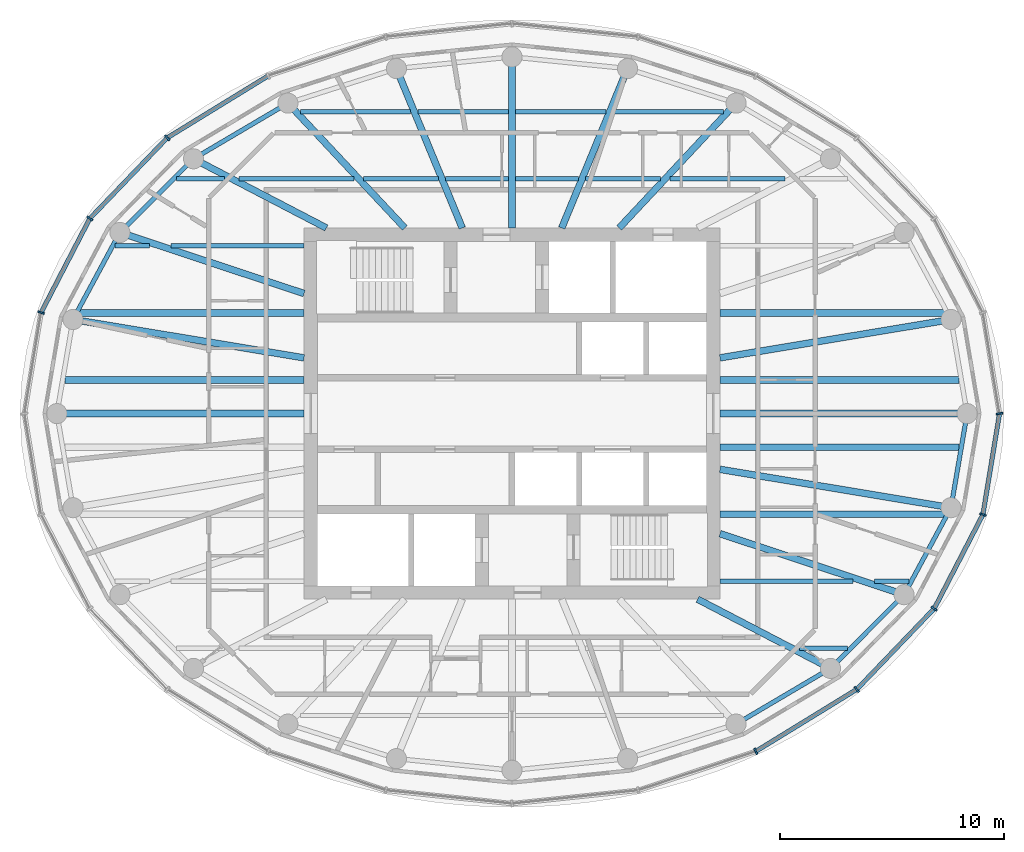
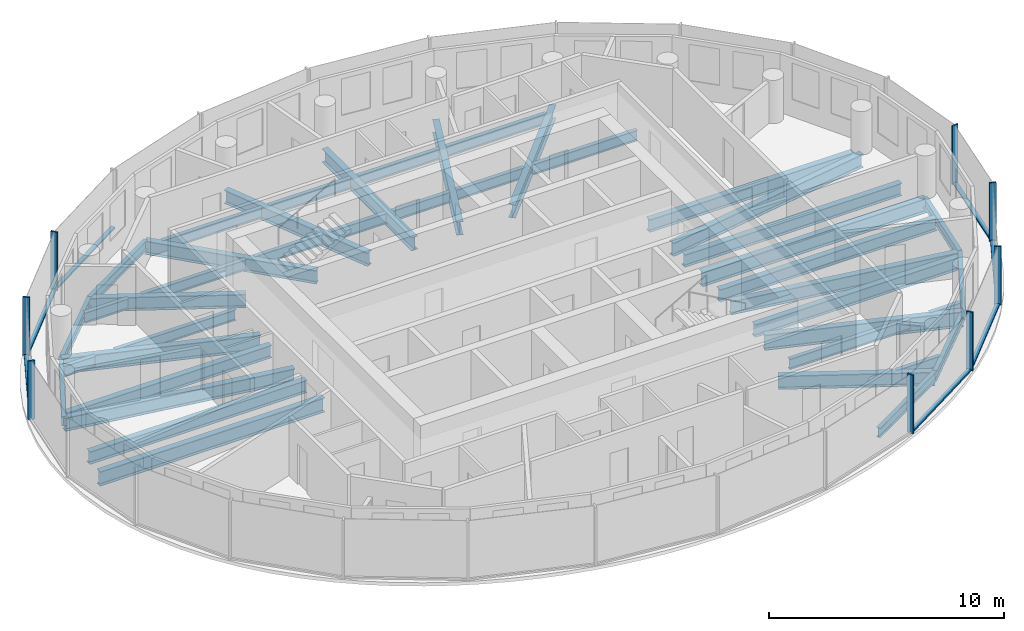
# One storey, part 2 of 11: 43 beams, 15 members, 3 elements without a shape of their own.
"""IFC4 building model written with IfcOpenShell, lengths in metres."""

from ifc_helpers import new_model, si_unit, direction, frame, origin, origin_2d, place, context, subcontext, project, spatial, rectangle, i_section, extrude, material, material_profile, profile_set, type_object, element, aggregate, save


model = new_model("IFC4")

# Units and contexts
model_context = context("Model", 3, precision=1e-05, world=origin(), true_north=direction((0.0, 1.0)))
body_context = subcontext(model_context, "Body", "Model", "MODEL_VIEW")
ifc_project = project(units=[si_unit("LENGTHUNIT", "METRE"), si_unit("AREAUNIT", "SQUARE_METRE"), si_unit("VOLUMEUNIT", "CUBIC_METRE"), si_unit("PLANEANGLEUNIT", "RADIAN"), si_unit("MASSUNIT", "GRAM", prefix="KILO")], contexts=[model_context])

# Site, building, storey
site_placement = place(None, origin())
site = spatial("IfcSite", under=ifc_project, at=site_placement, CompositionType="ELEMENT")
building_placement = place(site_placement, origin())
building = spatial("IfcBuilding", under=site, at=building_placement, Name="Hankou Lantern Tower", CompositionType="ELEMENT")
storey_placement = place(building_placement, frame((0.0, 0.0, 229.199951171875)))
storey = spatial("IfcBuildingStorey", under=building, at=storey_placement, Name="L62", CompositionType="ELEMENT", Elevation=229.199951171875)

# Beams
ifc_material_1 = material(Name="Steel Q355B", Category="steel")
ifc_material_profile_1 = material_profile(ifc_material_1, i_section(OverallWidth=0.199951171875, OverallDepth=0.5, WebThickness=0.010009765625, FlangeThickness=0.01611328125, FilletRadius=0.012939453125, at=origin_2d()), Name="HN500x200x10x16")
ifc_profile_set_1 = profile_set([ifc_material_profile_1], Name="Steel Q355B")
beam_type_1 = type_object("IfcBeamType", Name="EB5 RING BEAM HN500x200x10x16", PredefinedType="SPANDREL", material=ifc_profile_set_1)
beam_1_placement = place(storey_placement, frame((-10.01904296875, 13.8828125, -0.429931640625), z_axis=(-0.861422897323, -0.507888365655, 0.0), x_axis=(0.507888365655, -0.861422897323, 0.0)))
element("IfcBeam", 1, at=beam_1_placement, inside=storey, type_object=beam_type_1, Name="Ring beam R09-R10 L62", PredefinedType="SPANDREL", context=body_context, shape_type="SweptSolid", body=[
    extrude(i_section(OverallWidth=0.199951171875, OverallDepth=0.5, WebThickness=0.010009765625, FlangeThickness=0.01611328125, FilletRadius=0.012939453125, at=origin_2d()), origin(), (0.0, 0.0, 1.0), 4.901611328125),
])
beam_2_placement = place(storey_placement, frame((-14.241455078125, 11.393310546875, -0.429931640625), z_axis=(-0.706608588034, -0.707604623583, 0.0), x_axis=(0.707604623583, -0.706608588034, 0.0)))
element("IfcBeam", 2, at=beam_2_placement, inside=storey, type_object=beam_type_1, Name="Ring beam R10-R11 L62", PredefinedType="SPANDREL", context=body_context, shape_type="SweptSolid", body=[
    extrude(i_section(OverallWidth=0.199951171875, OverallDepth=0.5, WebThickness=0.010009765625, FlangeThickness=0.01611328125, FilletRadius=0.012939453125, at=origin_2d()), origin(), (0.0, 0.0, 1.0), 4.6572265625),
])
beam_3_placement = place(storey_placement, frame((-17.5322265625, 8.097900390625, -0.429931640625), z_axis=(-0.474491806611, -0.880259919262, 0.0), x_axis=(0.880259919262, -0.474491806611, 0.0)))
element("IfcBeam", 3, at=beam_3_placement, inside=storey, type_object=beam_type_1, Name="Ring beam R11-R12 L62", PredefinedType="SPANDREL", context=body_context, shape_type="SweptSolid", body=[
    extrude(i_section(OverallWidth=0.199951171875, OverallDepth=0.5, WebThickness=0.010009765625, FlangeThickness=0.01611328125, FilletRadius=0.012939453125, at=origin_2d()), origin(), (0.0, 0.0, 1.0), 4.419189453125),
])
beam_4_placement = place(storey_placement, frame((10.01904296875, -13.8828125, -0.429931640625), z_axis=(0.861422897323, 0.507888365655, 0.0), x_axis=(-0.507888365655, 0.861422897323, 0.0)))
element("IfcBeam", 4, at=beam_4_placement, inside=storey, type_object=beam_type_1, Name="Ring beam R21-R22 L62", PredefinedType="SPANDREL", context=body_context, shape_type="SweptSolid", body=[
    extrude(i_section(OverallWidth=0.199951171875, OverallDepth=0.5, WebThickness=0.010009765625, FlangeThickness=0.01611328125, FilletRadius=0.012939453125, at=origin_2d()), origin(), (0.0, 0.0, 1.0), 4.901611328125),
])
beam_5_placement = place(storey_placement, frame((14.241455078125, -11.393310546875, -0.429931640625), z_axis=(0.706608588034, 0.707604623583, 0.0), x_axis=(-0.707604623583, 0.706608588034, 0.0)))
element("IfcBeam", 5, at=beam_5_placement, inside=storey, type_object=beam_type_1, Name="Ring beam R22-R23 L62", PredefinedType="SPANDREL", context=body_context, shape_type="SweptSolid", body=[
    extrude(i_section(OverallWidth=0.199951171875, OverallDepth=0.5, WebThickness=0.010009765625, FlangeThickness=0.01611328125, FilletRadius=0.012939453125, at=origin_2d()), origin(), (0.0, 0.0, 1.0), 4.6572265625),
])
beam_6_placement = place(storey_placement, frame((17.5322265625, -8.097900390625, -0.429931640625), z_axis=(0.474491806611, 0.880259919262, 0.0), x_axis=(-0.880259919262, 0.474491806611, 0.0)))
element("IfcBeam", 6, at=beam_6_placement, inside=storey, type_object=beam_type_1, Name="Ring beam R23-R24 L62", PredefinedType="SPANDREL", context=body_context, shape_type="SweptSolid", body=[
    extrude(i_section(OverallWidth=0.199951171875, OverallDepth=0.5, WebThickness=0.010009765625, FlangeThickness=0.01611328125, FilletRadius=0.012939453125, at=origin_2d()), origin(), (0.0, 0.0, 1.0), 4.419189453125),
])
beam_7_placement = place(storey_placement, frame((19.629150390625, -4.207763671875, -0.429931640625), z_axis=(0.168876512999, 0.98563721691, 0.0), x_axis=(-0.98563721691, 0.168876512999, 0.0)))
element("IfcBeam", 7, at=beam_7_placement, inside=storey, type_object=beam_type_1, Name="Ring beam R24-R01 L62", PredefinedType="SPANDREL", context=body_context, shape_type="SweptSolid", body=[
    extrude(i_section(OverallWidth=0.199951171875, OverallDepth=0.5, WebThickness=0.010009765625, FlangeThickness=0.01611328125, FilletRadius=0.012939453125, at=origin_2d()), origin(), (0.0, 0.0, 1.0), 4.26904296875),
])

# Curtain wall, member
ifc_material_2 = material(Name="Glass, dark grey tinted laminated", Category="glass")
curtain_wall_type = type_object("IfcCurtainWallType", Name="CWD OUTER SKIN SUITE", PredefinedType="USERDEFINED", material=ifc_material_2)
curtain_wall_1_placement = place(storey_placement, origin())
curtain_wall_1 = element("IfcCurtainWall", 8, at=curtain_wall_1_placement, inside=storey, type_object=curtain_wall_type, Name="CWD L62 OS1", ObjectType="OUTER SKIN SUITE", PredefinedType="USERDEFINED")
ifc_material_3 = material(Name="Aluminium, black anodised", Category="aluminium")
ifc_material_profile_2 = material_profile(ifc_material_3, rectangle(XDim=0.080078125, YDim=0.300048828125, at=origin_2d()), Name="MU1 80X300")
ifc_profile_set_2 = profile_set([ifc_material_profile_2], Name="Aluminium, black anodised")
member_type_1 = type_object("IfcMemberType", Name="MU1 OUTER SKIN MULLION 80X300", PredefinedType="MULLION", material=ifc_profile_set_2)
member_1_placement = place(storey_placement, frame((21.800048828125, 0.0, 0.0), z_axis=(0.0, 0.0, 1.0), x_axis=(-0.162381515188, 0.986728049427, 0.0)))
member_1 = element("IfcMember", 9, at=member_1_placement, type_object=member_type_1, Name="CWD mullion 1", PredefinedType="MULLION", context=body_context, shape_type="SweptSolid", body=[
    extrude(rectangle(XDim=0.080078125, YDim=0.300048828125, at=origin_2d()), origin(), (0.0, 0.0, 1.0), 3.050048828125),
])
aggregate(curtain_wall_1, [member_1])

# Curtain wall, members
curtain_wall_2_placement = place(storey_placement, origin())
curtain_wall_2 = element("IfcCurtainWall", 10, at=curtain_wall_2_placement, inside=storey, type_object=curtain_wall_type, Name="CWD L62 OS2", ObjectType="OUTER SKIN SUITE", PredefinedType="USERDEFINED")
member_2_placement = place(storey_placement, frame((-15.4150390625, 12.33203125, 0.0), z_axis=(0.0, 0.0, 1.0), x_axis=(-0.780868809444, -0.624695047553, 0.0)))
member_2 = element("IfcMember", 11, at=member_2_placement, type_object=member_type_1, Name="CWD mullion 4", PredefinedType="MULLION", context=body_context, shape_type="SweptSolid", body=[
    extrude(rectangle(XDim=0.080078125, YDim=0.300048828125, at=origin_2d()), origin(), (0.0, 0.0, 1.0), 3.050048828125),
])
member_3_placement = place(storey_placement, frame((-18.87939453125, 8.719970703125, 0.0), z_axis=(0.0, 0.0, 1.0), x_axis=(-0.585205735974, -0.810884854084, 0.0)))
member_3 = element("IfcMember", 12, at=member_3_placement, type_object=member_type_1, Name="CWD mullion 5", PredefinedType="MULLION", context=body_context, shape_type="SweptSolid", body=[
    extrude(rectangle(XDim=0.080078125, YDim=0.300048828125, at=origin_2d()), origin(), (0.0, 0.0, 1.0), 3.050048828125),
])
member_4_placement = place(storey_placement, frame((-21.05712890625, 4.513916015625, 0.0), z_axis=(0.0, 0.0, 1.0), x_axis=(-0.317595577365, -0.94822626479, 0.0)))
member_4 = element("IfcMember", 13, at=member_4_placement, type_object=member_type_1, Name="CWD mullion 6", PredefinedType="MULLION", context=body_context, shape_type="SweptSolid", body=[
    extrude(rectangle(XDim=0.080078125, YDim=0.300048828125, at=origin_2d()), origin(), (0.0, 0.0, 1.0), 3.050048828125),
])

curtain_wall_3_placement = place(storey_placement, origin())
curtain_wall_3 = element("IfcCurtainWall", 14, at=curtain_wall_3_placement, inside=storey, type_object=curtain_wall_type, Name="CWD L62 OS4", ObjectType="OUTER SKIN SUITE", PredefinedType="USERDEFINED")
member_5_placement = place(storey_placement, frame((10.89990234375, -15.103515625, 0.0), z_axis=(0.0, 0.0, 1.0), x_axis=(0.907841299004, 0.419313934686, 0.0)))
member_5 = element("IfcMember", 15, at=member_5_placement, type_object=member_type_1, Name="CWD mullion 3", PredefinedType="MULLION", context=body_context, shape_type="SweptSolid", body=[
    extrude(rectangle(XDim=0.080078125, YDim=0.300048828125, at=origin_2d()), origin(), (0.0, 0.0, 1.0), 3.050048828125),
])
member_6_placement = place(storey_placement, frame((15.4150390625, -12.33203125, 0.0), z_axis=(0.0, 0.0, 1.0), x_axis=(0.780868809444, 0.624695047553, 0.0)))
member_6 = element("IfcMember", 16, at=member_6_placement, type_object=member_type_1, Name="CWD mullion 4", PredefinedType="MULLION", context=body_context, shape_type="SweptSolid", body=[
    extrude(rectangle(XDim=0.080078125, YDim=0.300048828125, at=origin_2d()), origin(), (0.0, 0.0, 1.0), 3.050048828125),
])
member_7_placement = place(storey_placement, frame((18.87939453125, -8.719970703125, 0.0), z_axis=(0.0, 0.0, 1.0), x_axis=(0.585205735974, 0.810884854084, 0.0)))
member_7 = element("IfcMember", 17, at=member_7_placement, type_object=member_type_1, Name="CWD mullion 5", PredefinedType="MULLION", context=body_context, shape_type="SweptSolid", body=[
    extrude(rectangle(XDim=0.080078125, YDim=0.300048828125, at=origin_2d()), origin(), (0.0, 0.0, 1.0), 3.050048828125),
])
member_8_placement = place(storey_placement, frame((21.05712890625, -4.513916015625, 0.0), z_axis=(0.0, 0.0, 1.0), x_axis=(0.317595577365, 0.94822626479, 0.0)))
member_8 = element("IfcMember", 18, at=member_8_placement, type_object=member_type_1, Name="CWD mullion 6", PredefinedType="MULLION", context=body_context, shape_type="SweptSolid", body=[
    extrude(rectangle(XDim=0.080078125, YDim=0.300048828125, at=origin_2d()), origin(), (0.0, 0.0, 1.0), 3.050048828125),
])

# Beams
ifc_material_4 = material(Name="Steel Q355B", Category="steel")
ifc_material_profile_3 = material_profile(ifc_material_4, i_section(OverallWidth=0.300048828125, OverallDepth=0.75, WebThickness=0.012939453125, FlangeThickness=0.02392578125, FilletRadius=0.01806640625, at=origin_2d()), Name="HN750x300x13x24")
ifc_profile_set_3 = profile_set([ifc_material_profile_3], Name="Steel Q355B")
beam_type_2 = type_object("IfcBeamType", Name="RB10 RADIAL BEAM HN750x300x13x24", PredefinedType="BEAM", material=ifc_profile_set_3)
for number, where, z_axis, x_axis, name in (
    (19, (9.300048828125, 0.0, -0.554931640625), (1.0, 0.0, 0.0), (0.0, 1.0, 0.0), "Radial beam R01 L62"),
    (20, (-9.300048828125, 0.0, -0.554931640625), (-1.0, 0.0, 0.0), (0.0, -1.0, 0.0), "Radial beam R13 L62"),
):
    element("IfcBeam", number, at=place(storey_placement, frame(where, z_axis=z_axis, x_axis=x_axis)), inside=storey, type_object=beam_type_2, Name=name, PredefinedType="BEAM", context=body_context, shape_type="SweptSolid", body=[
        extrude(i_section(OverallWidth=0.300048828125, OverallDepth=0.75, WebThickness=0.012939453125, FlangeThickness=0.02392578125, FilletRadius=0.01806640625, at=origin_2d()), origin(), (0.0, 0.0, 1.0), 11.050048828125),
    ])
ifc_material_5 = material(Name="Steel Q355B", Category="steel")
ifc_material_profile_4 = material_profile(ifc_material_5, i_section(OverallWidth=0.300048828125, OverallDepth=0.800048828125, WebThickness=0.013916015625, FlangeThickness=0.02587890625, FilletRadius=0.01806640625, at=origin_2d()), Name="HN800x300x14x26")
ifc_profile_set_4 = profile_set([ifc_material_profile_4], Name="Steel Q355B")
beam_type_3 = type_object("IfcBeamType", Name="RB11 RADIAL BEAM HN800x300x14x26", PredefinedType="BEAM", material=ifc_profile_set_4)
for number, where, z_axis, x_axis, name in (
    (21, (-9.300048828125, 5.369384765625, -0.579833984375), (-0.949219608576, 0.314614263337, 0.0), (-0.314614263337, -0.949219608576, 0.0), "Radial beam R11 L62"),
    (22, (9.300048828125, -5.369384765625, -0.579833984375), (0.949219608576, -0.314614263337, 0.0), (0.314614263337, 0.949219608576, 0.0), "Radial beam R23 L62"),
):
    element("IfcBeam", number, at=place(storey_placement, frame(where, z_axis=z_axis, x_axis=x_axis)), inside=storey, type_object=beam_type_3, Name=name, PredefinedType="BEAM", context=body_context, shape_type="SweptSolid", body=[
        extrude(i_section(OverallWidth=0.300048828125, OverallDepth=0.800048828125, WebThickness=0.013916015625, FlangeThickness=0.02587890625, FilletRadius=0.01806640625, at=origin_2d()), origin(), (0.0, 0.0, 1.0), 8.672607421875),
    ])
ifc_material_6 = material(Name="Steel Q355B", Category="steel")
ifc_material_profile_5 = material_profile(ifc_material_6, i_section(OverallWidth=0.300048828125, OverallDepth=0.699951171875, WebThickness=0.012939453125, FlangeThickness=0.02392578125, FilletRadius=0.01806640625, at=origin_2d()), Name="HN700x300x13x24")
ifc_profile_set_5 = profile_set([ifc_material_profile_5], Name="Steel Q355B")
beam_type_4 = type_object("IfcBeamType", Name="RB9 RADIAL BEAM HN700x300x13x24", PredefinedType="BEAM", material=ifc_profile_set_5)
beam_8_placement = place(storey_placement, frame((9.300048828125, 2.491943359375, -0.530029296875), z_axis=(0.986482007061, 0.163869612027, 0.0), x_axis=(-0.163869612027, 0.986482007061, 0.0)))
element("IfcBeam", 23, at=beam_8_placement, inside=storey, type_object=beam_type_4, Name="Radial beam R02 L62", PredefinedType="BEAM", context=body_context, shape_type="SweptSolid", body=[
    extrude(i_section(OverallWidth=0.300048828125, OverallDepth=0.699951171875, WebThickness=0.012939453125, FlangeThickness=0.02392578125, FilletRadius=0.01806640625, at=origin_2d()), origin(), (0.0, 0.0, 1.0), 10.470703125),
])
beam_9_placement = place(storey_placement, frame((4.7919921875, 8.300048828125, -0.530029296875), z_axis=(0.68346844743, 0.729980055459, 0.0), x_axis=(-0.729980055459, 0.68346844743, 0.0)))
element("IfcBeam", 24, at=beam_9_placement, inside=storey, type_object=beam_type_4, Name="Radial beam R05 L62", PredefinedType="BEAM", context=body_context, shape_type="SweptSolid", body=[
    extrude(i_section(OverallWidth=0.300048828125, OverallDepth=0.699951171875, WebThickness=0.012939453125, FlangeThickness=0.02392578125, FilletRadius=0.01806640625, at=origin_2d()), origin(), (0.0, 0.0, 1.0), 7.64794921875),
])
beam_10_placement = place(storey_placement, frame((2.223876953125, 8.300048828125, -0.530029296875), z_axis=(0.381706648123, 0.924283525104, 0.0), x_axis=(-0.924283525104, 0.381706648123, 0.0)))
element("IfcBeam", 25, at=beam_10_placement, inside=storey, type_object=beam_type_4, Name="Radial beam R06 L62", PredefinedType="BEAM", context=body_context, shape_type="SweptSolid", body=[
    extrude(i_section(OverallWidth=0.300048828125, OverallDepth=0.699951171875, WebThickness=0.012939453125, FlangeThickness=0.02392578125, FilletRadius=0.01806640625, at=origin_2d()), origin(), (0.0, 0.0, 1.0), 7.7109375),
])
beam_11_placement = place(storey_placement, frame((0.0, 8.300048828125, -0.530029296875), z_axis=(0.0, 1.0, 0.0), x_axis=(-1.0, 0.0, 0.0)))
element("IfcBeam", 26, at=beam_11_placement, inside=storey, type_object=beam_type_4, Name="Radial beam R07 L62", PredefinedType="BEAM", context=body_context, shape_type="SweptSolid", body=[
    extrude(i_section(OverallWidth=0.300048828125, OverallDepth=0.699951171875, WebThickness=0.012939453125, FlangeThickness=0.02392578125, FilletRadius=0.01806640625, at=origin_2d()), origin(), (0.0, 0.0, 1.0), 7.64990234375),
])
beam_12_placement = place(storey_placement, frame((-2.223876953125, 8.300048828125, -0.530029296875), z_axis=(-0.381706648123, 0.924283525104, 0.0), x_axis=(-0.924283525104, -0.381706648123, 0.0)))
element("IfcBeam", 27, at=beam_12_placement, inside=storey, type_object=beam_type_4, Name="Radial beam R08 L62", PredefinedType="BEAM", context=body_context, shape_type="SweptSolid", body=[
    extrude(i_section(OverallWidth=0.300048828125, OverallDepth=0.699951171875, WebThickness=0.012939453125, FlangeThickness=0.02392578125, FilletRadius=0.01806640625, at=origin_2d()), origin(), (0.0, 0.0, 1.0), 7.7109375),
])
beam_13_placement = place(storey_placement, frame((-4.7919921875, 8.300048828125, -0.530029296875), z_axis=(-0.68346844743, 0.729980055459, 0.0), x_axis=(-0.729980055459, -0.68346844743, 0.0)))
element("IfcBeam", 28, at=beam_13_placement, inside=storey, type_object=beam_type_4, Name="Radial beam R09 L62", PredefinedType="BEAM", context=body_context, shape_type="SweptSolid", body=[
    extrude(i_section(OverallWidth=0.300048828125, OverallDepth=0.699951171875, WebThickness=0.012939453125, FlangeThickness=0.02392578125, FilletRadius=0.01806640625, at=origin_2d()), origin(), (0.0, 0.0, 1.0), 7.64794921875),
])
beam_14_placement = place(storey_placement, frame((-8.300048828125, 8.300048828125, -0.530029296875), z_axis=(-0.886988734783, 0.461791061378, 0.0), x_axis=(-0.461791061378, -0.886988734783, 0.0)))
element("IfcBeam", 29, at=beam_14_placement, inside=storey, type_object=beam_type_4, Name="Radial beam R10 L62", PredefinedType="BEAM", context=body_context, shape_type="SweptSolid", body=[
    extrude(i_section(OverallWidth=0.300048828125, OverallDepth=0.699951171875, WebThickness=0.012939453125, FlangeThickness=0.02392578125, FilletRadius=0.01806640625, at=origin_2d()), origin(), (0.0, 0.0, 1.0), 6.698486328125),
])
beam_15_placement = place(storey_placement, frame((-9.300048828125, 2.491943359375, -0.530029296875), z_axis=(-0.986482007061, 0.163869612027, 0.0), x_axis=(-0.163869612027, -0.986482007061, 0.0)))
element("IfcBeam", 30, at=beam_15_placement, inside=storey, type_object=beam_type_4, Name="Radial beam R12 L62", PredefinedType="BEAM", context=body_context, shape_type="SweptSolid", body=[
    extrude(i_section(OverallWidth=0.300048828125, OverallDepth=0.699951171875, WebThickness=0.012939453125, FlangeThickness=0.02392578125, FilletRadius=0.01806640625, at=origin_2d()), origin(), (0.0, 0.0, 1.0), 10.470703125),
])
beam_16_placement = place(storey_placement, frame((8.300048828125, -8.300048828125, -0.530029296875), z_axis=(0.886988734783, -0.461791061378, 0.0), x_axis=(0.461791061378, 0.886988734783, 0.0)))
element("IfcBeam", 31, at=beam_16_placement, inside=storey, type_object=beam_type_4, Name="Radial beam R22 L62", PredefinedType="BEAM", context=body_context, shape_type="SweptSolid", body=[
    extrude(i_section(OverallWidth=0.300048828125, OverallDepth=0.699951171875, WebThickness=0.012939453125, FlangeThickness=0.02392578125, FilletRadius=0.01806640625, at=origin_2d()), origin(), (0.0, 0.0, 1.0), 6.698486328125),
])
beam_17_placement = place(storey_placement, frame((9.300048828125, -2.491943359375, -0.530029296875), z_axis=(0.986482007061, -0.163869612027, 0.0), x_axis=(0.163869612027, 0.986482007061, 0.0)))
element("IfcBeam", 32, at=beam_17_placement, inside=storey, type_object=beam_type_4, Name="Radial beam R24 L62", PredefinedType="BEAM", context=body_context, shape_type="SweptSolid", body=[
    extrude(i_section(OverallWidth=0.300048828125, OverallDepth=0.699951171875, WebThickness=0.012939453125, FlangeThickness=0.02392578125, FilletRadius=0.01806640625, at=origin_2d()), origin(), (0.0, 0.0, 1.0), 10.470703125),
])
ifc_material_7 = material(Name="Steel Q355B", Category="steel")
ifc_material_profile_6 = material_profile(ifc_material_7, i_section(OverallWidth=0.199951171875, OverallDepth=0.550048828125, WebThickness=0.010009765625, FlangeThickness=0.01611328125, FilletRadius=0.012939453125, at=origin_2d()), Name="HN550x200x10x16")
ifc_profile_set_6 = profile_set([ifc_material_profile_6], Name="Steel Q355B")
beam_type_5 = type_object("IfcBeamType", Name="SB6 SECONDARY BEAM HN550x200x10x16", PredefinedType="JOIST", material=ifc_profile_set_6)
beam_18_placement = place(storey_placement, frame((12.8505859375, -10.5, -0.454833984375), z_axis=(1.0, 0.0, 0.0), x_axis=(0.0, 1.0, 0.0)))
element("IfcBeam", 33, at=beam_18_placement, inside=storey, type_object=beam_type_5, Name="Floor joist J012 L62", PredefinedType="JOIST", context=body_context, shape_type="SweptSolid", body=[
    extrude(i_section(OverallWidth=0.199951171875, OverallDepth=0.550048828125, WebThickness=0.010009765625, FlangeThickness=0.01611328125, FilletRadius=0.012939453125, at=origin_2d()), origin(), (0.0, 0.0, 1.0), 2.1416015625),
])
beam_19_placement = place(storey_placement, frame((9.300048828125, -7.5, -0.454833984375), z_axis=(1.0, 0.0, 0.0), x_axis=(0.0, 1.0, 0.0)))
element("IfcBeam", 34, at=beam_19_placement, inside=storey, type_object=beam_type_5, Name="Floor joist J015 L62", PredefinedType="JOIST", context=body_context, shape_type="SweptSolid", body=[
    extrude(i_section(OverallWidth=0.199951171875, OverallDepth=0.550048828125, WebThickness=0.010009765625, FlangeThickness=0.01611328125, FilletRadius=0.012939453125, at=origin_2d()), origin(), (0.0, 0.0, 1.0), 5.95166015625),
])
for number, where, z_axis, x_axis, name in (
    (35, (16.205322265625, -7.5, -0.454833984375), (1.0, 0.0, 0.0), (0.0, 1.0, 0.0), "Floor joist J016 L62"),
    (36, (-17.740966796875, 7.5, -0.454833984375), (1.0, 0.0, 0.0), (0.0, 1.0, 0.0), "Floor joist J025 L62"),
):
    element("IfcBeam", number, at=place(storey_placement, frame(where, z_axis=z_axis, x_axis=x_axis)), inside=storey, type_object=beam_type_5, Name=name, PredefinedType="JOIST", context=body_context, shape_type="SweptSolid", body=[
        extrude(i_section(OverallWidth=0.199951171875, OverallDepth=0.550048828125, WebThickness=0.010009765625, FlangeThickness=0.01611328125, FilletRadius=0.012939453125, at=origin_2d()), origin(), (0.0, 0.0, 1.0), 1.53564453125),
    ])
beam_20_placement = place(storey_placement, frame((-15.251708984375, 7.5, -0.454833984375), z_axis=(1.0, 0.0, 0.0), x_axis=(0.0, 1.0, 0.0)))
element("IfcBeam", 37, at=beam_20_placement, inside=storey, type_object=beam_type_5, Name="Floor joist J026 L62", PredefinedType="JOIST", context=body_context, shape_type="SweptSolid", body=[
    extrude(i_section(OverallWidth=0.199951171875, OverallDepth=0.550048828125, WebThickness=0.010009765625, FlangeThickness=0.01611328125, FilletRadius=0.012939453125, at=origin_2d()), origin(), (0.0, 0.0, 1.0), 5.95166015625),
])
beam_21_placement = place(storey_placement, frame((-14.9921875, 10.5, -0.454833984375), z_axis=(1.0, 0.0, 0.0), x_axis=(0.0, 1.0, 0.0)))
element("IfcBeam", 38, at=beam_21_placement, inside=storey, type_object=beam_type_5, Name="Floor joist J029 L62", PredefinedType="JOIST", context=body_context, shape_type="SweptSolid", body=[
    extrude(i_section(OverallWidth=0.199951171875, OverallDepth=0.550048828125, WebThickness=0.010009765625, FlangeThickness=0.01611328125, FilletRadius=0.012939453125, at=origin_2d()), origin(), (0.0, 0.0, 1.0), 2.1416015625),
])
beam_22_placement = place(storey_placement, frame((-12.200927734375, 10.5, -0.454833984375), z_axis=(1.0, 0.0, 0.0), x_axis=(0.0, 1.0, 0.0)))
element("IfcBeam", 39, at=beam_22_placement, inside=storey, type_object=beam_type_5, Name="Floor joist J030 L62", PredefinedType="JOIST", context=body_context, shape_type="SweptSolid", body=[
    extrude(i_section(OverallWidth=0.199951171875, OverallDepth=0.550048828125, WebThickness=0.010009765625, FlangeThickness=0.01611328125, FilletRadius=0.012939453125, at=origin_2d()), origin(), (0.0, 0.0, 1.0), 5.1435546875),
])
beam_23_placement = place(storey_placement, frame((-6.646240234375, 10.5, -0.454833984375), z_axis=(1.0, 0.0, 0.0), x_axis=(0.0, 1.0, 0.0)))
element("IfcBeam", 40, at=beam_23_placement, inside=storey, type_object=beam_type_5, Name="Floor joist J031 L62", PredefinedType="JOIST", context=body_context, shape_type="SweptSolid", body=[
    extrude(i_section(OverallWidth=0.199951171875, OverallDepth=0.550048828125, WebThickness=0.010009765625, FlangeThickness=0.01611328125, FilletRadius=0.012939453125, at=origin_2d()), origin(), (0.0, 0.0, 1.0), 3.3515625),
])
for number, where, z_axis, x_axis, name in (
    (41, (-2.97021484375, 10.5, -0.454833984375), (1.0, 0.0, 0.0), (0.0, 1.0, 0.0), "Floor joist J032 L62"),
    (42, (0.14990234375, 10.5, -0.454833984375), (1.0, 0.0, 0.0), (0.0, 1.0, 0.0), "Floor joist J033 L62"),
):
    element("IfcBeam", number, at=place(storey_placement, frame(where, z_axis=z_axis, x_axis=x_axis)), inside=storey, type_object=beam_type_5, Name=name, PredefinedType="JOIST", context=body_context, shape_type="SweptSolid", body=[
        extrude(i_section(OverallWidth=0.199951171875, OverallDepth=0.550048828125, WebThickness=0.010009765625, FlangeThickness=0.01611328125, FilletRadius=0.012939453125, at=origin_2d()), origin(), (0.0, 0.0, 1.0), 2.8203125),
    ])
beam_24_placement = place(storey_placement, frame((3.294677734375, 10.5, -0.454833984375), z_axis=(1.0, 0.0, 0.0), x_axis=(0.0, 1.0, 0.0)))
element("IfcBeam", 43, at=beam_24_placement, inside=storey, type_object=beam_type_5, Name="Floor joist J034 L62", PredefinedType="JOIST", context=body_context, shape_type="SweptSolid", body=[
    extrude(i_section(OverallWidth=0.199951171875, OverallDepth=0.550048828125, WebThickness=0.010009765625, FlangeThickness=0.01611328125, FilletRadius=0.012939453125, at=origin_2d()), origin(), (0.0, 0.0, 1.0), 3.3515625),
])
beam_25_placement = place(storey_placement, frame((7.057373046875, 10.5, -0.454833984375), z_axis=(1.0, 0.0, 0.0), x_axis=(0.0, 1.0, 0.0)))
element("IfcBeam", 44, at=beam_25_placement, inside=storey, type_object=beam_type_5, Name="Floor joist J035 L62", PredefinedType="JOIST", context=body_context, shape_type="SweptSolid", body=[
    extrude(i_section(OverallWidth=0.199951171875, OverallDepth=0.550048828125, WebThickness=0.010009765625, FlangeThickness=0.01611328125, FilletRadius=0.012939453125, at=origin_2d()), origin(), (0.0, 0.0, 1.0), 5.1435546875),
])
beam_26_placement = place(storey_placement, frame((-9.455078125, 13.5, -0.454833984375), z_axis=(1.0, 0.0, 0.0), x_axis=(0.0, 1.0, 0.0)))
element("IfcBeam", 45, at=beam_26_placement, inside=storey, type_object=beam_type_5, Name="Floor joist J037 L62", PredefinedType="JOIST", context=body_context, shape_type="SweptSolid", body=[
    extrude(i_section(OverallWidth=0.199951171875, OverallDepth=0.550048828125, WebThickness=0.010009765625, FlangeThickness=0.01611328125, FilletRadius=0.012939453125, at=origin_2d()), origin(), (0.0, 0.0, 1.0), 4.92138671875),
])
for number, where, z_axis, x_axis, name in (
    (46, (-4.208984375, 13.5, -0.454833984375), (1.0, 0.0, 0.0), (0.0, 1.0, 0.0), "Floor joist J038 L62"),
    (47, (0.14990234375, 13.5, -0.454833984375), (1.0, 0.0, 0.0), (0.0, 1.0, 0.0), "Floor joist J039 L62"),
):
    element("IfcBeam", number, at=place(storey_placement, frame(where, z_axis=z_axis, x_axis=x_axis)), inside=storey, type_object=beam_type_5, Name=name, PredefinedType="JOIST", context=body_context, shape_type="SweptSolid", body=[
        extrude(i_section(OverallWidth=0.199951171875, OverallDepth=0.550048828125, WebThickness=0.010009765625, FlangeThickness=0.01611328125, FilletRadius=0.012939453125, at=origin_2d()), origin(), (0.0, 0.0, 1.0), 4.05908203125),
    ])
beam_27_placement = place(storey_placement, frame((4.53369140625, 13.5, -0.454833984375), z_axis=(1.0, 0.0, 0.0), x_axis=(0.0, 1.0, 0.0)))
element("IfcBeam", 48, at=beam_27_placement, inside=storey, type_object=beam_type_5, Name="Floor joist J040 L62", PredefinedType="JOIST", context=body_context, shape_type="SweptSolid", body=[
    extrude(i_section(OverallWidth=0.199951171875, OverallDepth=0.550048828125, WebThickness=0.010009765625, FlangeThickness=0.01611328125, FilletRadius=0.012939453125, at=origin_2d()), origin(), (0.0, 0.0, 1.0), 4.92138671875),
])
ifc_material_8 = material(Name="Steel Q355B", Category="steel")
ifc_material_profile_7 = material_profile(ifc_material_8, i_section(OverallWidth=0.300048828125, OverallDepth=0.64990234375, WebThickness=0.010986328125, FlangeThickness=0.01708984375, FilletRadius=0.01806640625, at=origin_2d()), Name="HN650x300x11x17")
ifc_profile_set_7 = profile_set([ifc_material_profile_7], Name="Steel Q355B")
beam_type_6 = type_object("IfcBeamType", Name="SB8 SECONDARY BEAM HN650x300x11x17", PredefinedType="JOIST", material=ifc_profile_set_7)
beam_28_placement = place(storey_placement, frame((9.300048828125, -4.5, -0.5048828125), z_axis=(1.0, 0.0, 0.0), x_axis=(0.0, 1.0, 0.0)))
element("IfcBeam", 49, at=beam_28_placement, inside=storey, type_object=beam_type_6, Name="Floor joist J018 L62", PredefinedType="JOIST", context=body_context, shape_type="SweptSolid", body=[
    extrude(i_section(OverallWidth=0.300048828125, OverallDepth=0.64990234375, WebThickness=0.010986328125, FlangeThickness=0.01708984375, FilletRadius=0.01806640625, at=origin_2d()), origin(), (0.0, 0.0, 1.0), 10.057861328125),
])
for number, where, z_axis, x_axis, name in (
    (50, (9.300048828125, -1.5, -0.5048828125), (1.0, 0.0, 0.0), (0.0, 1.0, 0.0), "Floor joist J020 L62"),
    (51, (-19.991455078125, 1.5, -0.5048828125), (1.0, 0.0, 0.0), (0.0, 1.0, 0.0), "Floor joist J021 L62"),
    (52, (9.300048828125, 1.5, -0.5048828125), (1.0, 0.0, 0.0), (0.0, 1.0, 0.0), "Floor joist J022 L62"),
):
    element("IfcBeam", number, at=place(storey_placement, frame(where, z_axis=z_axis, x_axis=x_axis)), inside=storey, type_object=beam_type_6, Name=name, PredefinedType="JOIST", context=body_context, shape_type="SweptSolid", body=[
        extrude(i_section(OverallWidth=0.300048828125, OverallDepth=0.64990234375, WebThickness=0.010986328125, FlangeThickness=0.01708984375, FilletRadius=0.01806640625, at=origin_2d()), origin(), (0.0, 0.0, 1.0), 10.69140625),
    ])
for number, where, z_axis, x_axis, name in (
    (53, (-19.35791015625, 4.5, -0.5048828125), (1.0, 0.0, 0.0), (0.0, 1.0, 0.0), "Floor joist J023 L62"),
    (54, (9.300048828125, 4.5, -0.5048828125), (1.0, 0.0, 0.0), (0.0, 1.0, 0.0), "Floor joist J024 L62"),
):
    element("IfcBeam", number, at=place(storey_placement, frame(where, z_axis=z_axis, x_axis=x_axis)), inside=storey, type_object=beam_type_6, Name=name, PredefinedType="JOIST", context=body_context, shape_type="SweptSolid", body=[
        extrude(i_section(OverallWidth=0.300048828125, OverallDepth=0.64990234375, WebThickness=0.010986328125, FlangeThickness=0.01708984375, FilletRadius=0.01806640625, at=origin_2d()), origin(), (0.0, 0.0, 1.0), 10.057861328125),
    ])

# Member
ifc_material_9 = material(Name="Aluminium, black anodised", Category="aluminium")
ifc_material_profile_8 = material_profile(ifc_material_9, rectangle(XDim=0.199951171875, YDim=0.080078125, at=origin_2d()), Name="TR1 200X80")
ifc_profile_set_8 = profile_set([ifc_material_profile_8], Name="Aluminium, black anodised")
member_type_2 = type_object("IfcMemberType", Name="TR1 OUTER SKIN TRANSOM 200X80", PredefinedType="USERDEFINED", material=ifc_profile_set_8)
member_9_placement = place(storey_placement, frame((-10.93408203125, 15.08251953125, 0.0400390625), z_axis=(-0.852234544008, -0.523159900986, 0.0), x_axis=(0.523159900986, -0.852234544008, 0.0)))
member_9 = element("IfcMember", 55, at=member_9_placement, type_object=member_type_2, Name="CWD transom 3", ObjectType="TRANSOM", PredefinedType="USERDEFINED", context=body_context, shape_type="SweptSolid", body=[
    extrude(rectangle(XDim=0.199951171875, YDim=0.080078125, at=origin_2d()), origin(), (0.0, 0.0, 1.0), 5.2177734375),
])

member_10_placement = place(storey_placement, frame((-15.442626953125, 12.302978515625, 0.0400390625), z_axis=(-0.692204633274, -0.721701285626, 0.0), x_axis=(0.721701285626, -0.692204633274, 0.0)))
member_10 = element("IfcMember", 56, at=member_10_placement, type_object=member_type_2, Name="CWD transom 4", ObjectType="TRANSOM", PredefinedType="USERDEFINED", context=body_context, shape_type="SweptSolid", body=[
    extrude(rectangle(XDim=0.199951171875, YDim=0.080078125, at=origin_2d()), origin(), (0.0, 0.0, 1.0), 4.9248046875),
])

member_11_placement = place(storey_placement, frame((-18.897705078125, 8.6845703125, 0.0400390625), z_axis=(-0.45979371115, -0.888025755925, 0.0), x_axis=(0.888025755925, -0.45979371115, 0.0)))
member_11 = element("IfcMember", 57, at=member_11_placement, type_object=member_type_2, Name="CWD transom 5", ObjectType="TRANSOM", PredefinedType="USERDEFINED", context=body_context, shape_type="SweptSolid", body=[
    extrude(rectangle(XDim=0.199951171875, YDim=0.080078125, at=origin_2d()), origin(), (0.0, 0.0, 1.0), 4.65673828125),
])

aggregate(curtain_wall_2, [member_2, member_3, member_4, member_9, member_10, member_11])

member_12_placement = place(storey_placement, frame((10.93408203125, -15.08251953125, 0.0400390625), z_axis=(0.852234544008, 0.523159900986, 0.0), x_axis=(-0.523159900986, 0.852234544008, 0.0)))
member_12 = element("IfcMember", 58, at=member_12_placement, type_object=member_type_2, Name="CWD transom 3", ObjectType="TRANSOM", PredefinedType="USERDEFINED", context=body_context, shape_type="SweptSolid", body=[
    extrude(rectangle(XDim=0.199951171875, YDim=0.080078125, at=origin_2d()), origin(), (0.0, 0.0, 1.0), 5.2177734375),
])

member_13_placement = place(storey_placement, frame((15.442626953125, -12.302978515625, 0.0400390625), z_axis=(0.692204633274, 0.721701285626, 0.0), x_axis=(-0.721701285626, 0.692204633274, 0.0)))
member_13 = element("IfcMember", 59, at=member_13_placement, type_object=member_type_2, Name="CWD transom 4", ObjectType="TRANSOM", PredefinedType="USERDEFINED", context=body_context, shape_type="SweptSolid", body=[
    extrude(rectangle(XDim=0.199951171875, YDim=0.080078125, at=origin_2d()), origin(), (0.0, 0.0, 1.0), 4.9248046875),
])

member_14_placement = place(storey_placement, frame((18.897705078125, -8.6845703125, 0.0400390625), z_axis=(0.45979371115, 0.888025755925, 0.0), x_axis=(-0.888025755925, 0.45979371115, 0.0)))
member_14 = element("IfcMember", 60, at=member_14_placement, type_object=member_type_2, Name="CWD transom 5", ObjectType="TRANSOM", PredefinedType="USERDEFINED", context=body_context, shape_type="SweptSolid", body=[
    extrude(rectangle(XDim=0.199951171875, YDim=0.080078125, at=origin_2d()), origin(), (0.0, 0.0, 1.0), 4.65673828125),
])

member_15_placement = place(storey_placement, frame((21.063720703125, -4.474365234375, 0.0400390625), z_axis=(0.162363822839, 0.986730960816, 0.0), x_axis=(-0.986730960816, 0.162363822839, 0.0)))
member_15 = element("IfcMember", 61, at=member_15_placement, type_object=member_type_2, Name="CWD transom 6", ObjectType="TRANSOM", PredefinedType="USERDEFINED", context=body_context, shape_type="SweptSolid", body=[
    extrude(rectangle(XDim=0.199951171875, YDim=0.080078125, at=origin_2d()), origin(), (0.0, 0.0, 1.0), 4.494384765625),
])

aggregate(curtain_wall_3, [member_5, member_6, member_7, member_8, member_12, member_13, member_14, member_15])

save(model, "model.ifc")
